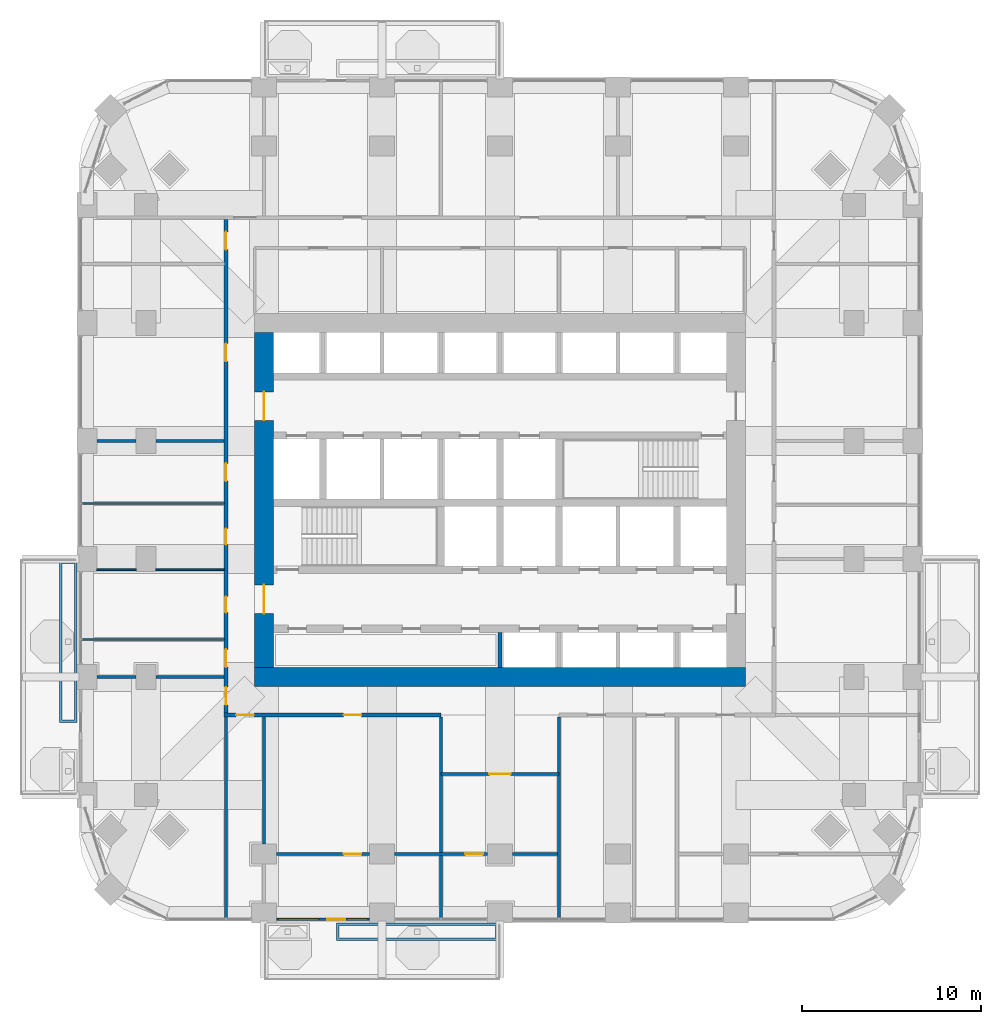
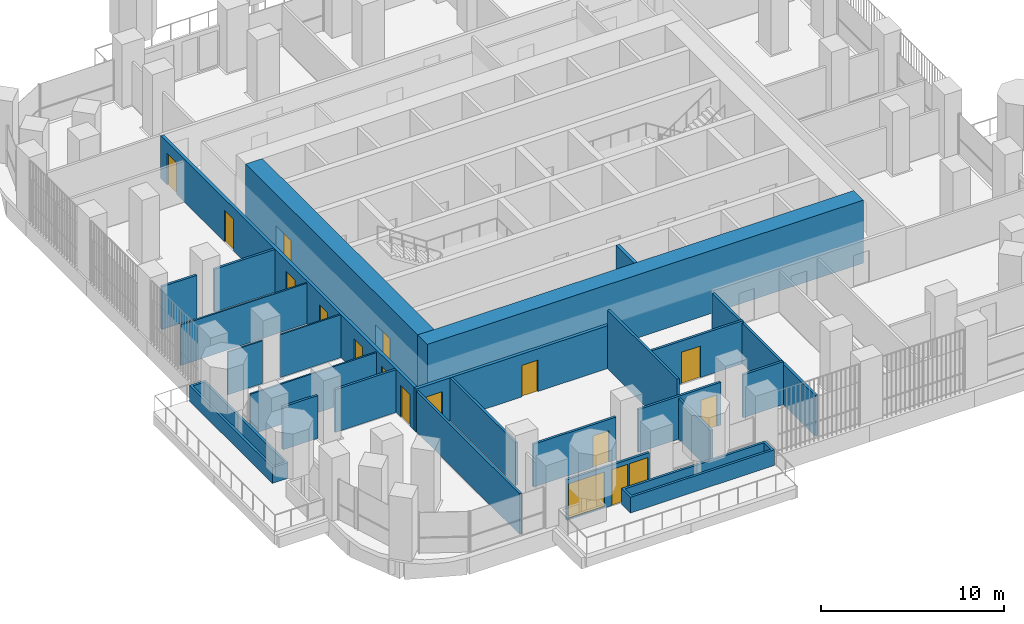
# One storey, part 13 of 21: 25 walls, 15 doors, 2 windows, 17 openings.
"""IFC4 building model written with IfcOpenShell, lengths in metres."""

from ifc_helpers import new_model, si_unit, direction, frame, frame_2d, origin, place, context, subcontext, project, spatial, polyline, rectangle, outline, extrude, material, layer, layer_set, type_object, element, fill, save


model = new_model("IFC4")

# Units and contexts
model_context = context("Model", 3, precision=1e-05, world=origin(), true_north=direction((0.0, 1.0)))
body_context = subcontext(model_context, "Body", "Model", "MODEL_VIEW")
ifc_project = project(units=[si_unit("LENGTHUNIT", "METRE"), si_unit("AREAUNIT", "SQUARE_METRE"), si_unit("VOLUMEUNIT", "CUBIC_METRE"), si_unit("PLANEANGLEUNIT", "RADIAN"), si_unit("MASSUNIT", "GRAM", prefix="KILO")], contexts=[model_context])

# Site, building, storey
site_placement = place(None, origin())
site = spatial("IfcSite", under=ifc_project, at=site_placement, CompositionType="ELEMENT")
building_placement = place(site_placement, origin())
building = spatial("IfcBuilding", under=site, at=building_placement, Name="Cobogo Forest Laboratory Tower", CompositionType="ELEMENT")
storey_placement = place(building_placement, frame((0.0, 0.0, 132.60009765625)))
storey = spatial("IfcBuildingStorey", under=building, at=storey_placement, Name="L30", CompositionType="ELEMENT", Elevation=132.60009765625)

# Wall
ifc_material_1 = material(Name="Concrete HA-50 (C50/60)", Category="concrete")
ifc_layer_1 = layer(ifc_material_1, 1.050048828125)
ifc_layer_set_1 = layer_set([ifc_layer_1], Name="CW1050 core outer wall 1050")
wall_type_1 = type_object("IfcWallType", Name="CW1050 core outer wall 1050", PredefinedType="SHEAR", material=ifc_layer_set_1)
wall_1_placement = place(storey_placement, frame((12.675048828125, 13.199951171875, 0.0), z_axis=(0.0, 0.0, 1.0), x_axis=(1.0, 0.0, 0.0)))
element("IfcWall", 1, at=wall_1_placement, inside=storey, type_object=wall_type_1, Name="Core wall CO-S L30", PredefinedType="SHEAR", context=body_context, shape_type="SweptSolid", body=[
    extrude(rectangle(XDim=27.449951171875, YDim=1.050048828125, at=frame_2d((13.72509765625, 0.0))), origin(), (0.0, 0.0, 1.0), 4.199951171875),
])

# Wall, openings, doors
wall_2_placement = place(storey_placement, frame((13.199951171875, 32.47509765625, 0.0), z_axis=(0.0, 0.0, 1.0), x_axis=(0.0, -1.0, 0.0)))
wall_2 = element("IfcWall", 2, at=wall_2_placement, inside=storey, type_object=wall_type_1, Name="Core wall CO-W L30", PredefinedType="SHEAR", context=body_context, shape_type="SweptSolid", body=[
    extrude(rectangle(XDim=18.75, YDim=1.050048828125, at=frame_2d((9.375, 0.0))), origin(), (0.0, 0.0, 1.0), 4.199951171875),
])
opening_1_placement = place(wall_2_placement, frame((14.125, 0.0, 0.0)))
opening_1 = element("IfcOpeningElement", 3, at=opening_1_placement, cuts=wall_2, Name="Opening L30-D21", PredefinedType="OPENING", context=body_context, shape_type="SweptSolid", body=[
    extrude(rectangle(XDim=1.60009765625, YDim=2.10009765625, at=frame_2d((0.800048828125, 1.050048828125))), frame((0.0, 0.534912109375, 0.0), z_axis=(0.0, -1.0, 0.0), x_axis=(1.0, 0.0, 0.0)), (0.0, 0.0, 1.0), 1.070068359375),
])
opening_2_placement = place(wall_2_placement, frame((3.324951171875, 0.0, 0.0)))
opening_2 = element("IfcOpeningElement", 4, at=opening_2_placement, cuts=wall_2, Name="Opening L30-D31", PredefinedType="OPENING", context=body_context, shape_type="SweptSolid", body=[
    extrude(rectangle(XDim=1.60009765625, YDim=2.10009765625, at=frame_2d((0.800048828125, 1.050048828125))), frame((0.0, 0.534912109375, 0.0), z_axis=(0.0, -1.0, 0.0), x_axis=(1.0, 0.0, 0.0)), (0.0, 0.0, 1.0), 1.070068359375),
])
ifc_material_2 = material(Name="Steel fire door", Category="steel")
door_type_1 = type_object("IfcDoorType", Name="DS2 protected lobby door pair 1600 EI2 60", OperationType="DOUBLE_DOOR_DOUBLE_SWING", PredefinedType="DOOR", material=ifc_material_2)
door_1_placement = place(opening_1_placement, origin())
door_1 = element("IfcDoor", 5, at=door_1_placement, inside=storey, type_object=door_type_1, Name="Door L30-CO-W-S", OperationType="DOUBLE_DOOR_DOUBLE_SWING", OverallHeight=2.10009765625, OverallWidth=1.60009765625, PredefinedType="DOOR", context=body_context, shape_type="SweptSolid", body=[
    extrude(rectangle(XDim=1.60009765625, YDim=2.10009765625, at=frame_2d((0.800048828125, 1.050048828125))), frame((0.0, 0.02490234375, 0.0), z_axis=(0.0, -1.0, 0.0), x_axis=(1.0, 0.0, 0.0)), (0.0, 0.0, 1.0), 0.050048828125),
])
fill(opening_1, door_1)
door_2_placement = place(opening_2_placement, origin())
door_2 = element("IfcDoor", 6, at=door_2_placement, inside=storey, type_object=door_type_1, Name="Door L30-CO-W-N", OperationType="DOUBLE_DOOR_DOUBLE_SWING", OverallHeight=2.10009765625, OverallWidth=1.60009765625, PredefinedType="DOOR", context=body_context, shape_type="SweptSolid", body=[
    extrude(rectangle(XDim=1.60009765625, YDim=2.10009765625, at=frame_2d((0.800048828125, 1.050048828125))), frame((0.0, 0.02490234375, 0.0), z_axis=(0.0, -1.0, 0.0), x_axis=(1.0, 0.0, 0.0)), (0.0, 0.0, 1.0), 0.050048828125),
])
fill(opening_2, door_2)

# Wall, openings, door, windows
ifc_material_3 = material(Name="Aluminium framed glazed screen", Category="aluminium")
ifc_layer_2 = layer(ifc_material_3, 0.14990234375)
ifc_layer_set_2 = layer_set([ifc_layer_2], Name="GS1 glazed door screen 150")
wall_type_2 = type_object("IfcWallType", Name="GS1 glazed door screen 150", PredefinedType="SOLIDWALL", material=ifc_layer_set_2)
wall_3_placement = place(storey_placement, frame((13.89990234375, -0.35009765625, 0.0), z_axis=(0.0, 0.0, 1.0), x_axis=(1.0, 0.0, 0.0)))
wall_3 = element("IfcWall", 7, at=wall_3_placement, inside=storey, type_object=wall_type_2, Name="Door screen BAL-S1 L30", PredefinedType="SOLIDWALL", context=body_context, shape_type="SweptSolid", body=[
    extrude(rectangle(XDim=5.2001953125, YDim=0.14990234375, at=frame_2d((2.60009765625, 0.0))), origin(), (0.0, 0.0, 1.0), 2.699951171875),
])
opening_3_placement = place(wall_3_placement, frame((2.85009765625, 0.0, 0.0)))
opening_3 = element("IfcOpeningElement", 8, at=opening_3_placement, cuts=wall_3, Name="Opening L30-D01", PredefinedType="OPENING", context=body_context, shape_type="SweptSolid", body=[
    extrude(rectangle(XDim=1.0, YDim=2.39990234375, at=frame_2d((0.5, 1.199951171875))), frame((0.0, 0.0849609375, 0.0), z_axis=(0.0, -1.0, 0.0), x_axis=(1.0, 0.0, 0.0)), (0.0, 0.0, 1.0), 0.169921875),
])
opening_4_placement = place(wall_3_placement, frame((0.10009765625, 0.0, 0.10009765625)))
opening_4 = element("IfcOpeningElement", 9, at=opening_4_placement, cuts=wall_3, Name="Opening L30-W01", PredefinedType="OPENING", context=body_context, shape_type="SweptSolid", body=[
    extrude(rectangle(XDim=2.25, YDim=2.300048828125, at=frame_2d((1.125, 1.14990234375))), frame((0.0, 0.0849609375, 0.0), z_axis=(0.0, -1.0, 0.0), x_axis=(1.0, 0.0, 0.0)), (0.0, 0.0, 1.0), 0.169921875),
])
opening_5_placement = place(wall_3_placement, frame((3.949951171875, 0.0, 0.10009765625)))
opening_5 = element("IfcOpeningElement", 10, at=opening_5_placement, cuts=wall_3, Name="Opening L30-W02", PredefinedType="OPENING", context=body_context, shape_type="SweptSolid", body=[
    extrude(rectangle(XDim=1.14990234375, YDim=2.300048828125, at=frame_2d((0.574951171875, 1.14990234375))), frame((0.0, 0.0849609375, 0.0), z_axis=(0.0, -1.0, 0.0), x_axis=(1.0, 0.0, 0.0)), (0.0, 0.0, 1.0), 0.169921875),
])
ifc_material_4 = material(Name="Aluminium glazed door", Category="aluminium")
door_type_2 = type_object("IfcDoorType", Name="DB1 balcony door 1000 glazed", OperationType="SINGLE_SWING_LEFT", PredefinedType="DOOR", material=ifc_material_4)
door_3_placement = place(opening_3_placement, origin())
door_3 = element("IfcDoor", 11, at=door_3_placement, inside=storey, type_object=door_type_2, Name="Door L30-BAL-S1", OperationType="SINGLE_SWING_RIGHT", OverallHeight=2.39990234375, OverallWidth=1.0, PredefinedType="DOOR", context=body_context, shape_type="SweptSolid", body=[
    extrude(rectangle(XDim=1.0, YDim=2.39990234375, at=frame_2d((0.5, 1.199951171875))), frame((0.0, 0.02490234375, 0.0), z_axis=(0.0, -1.0, 0.0), x_axis=(1.0, 0.0, 0.0)), (0.0, 0.0, 1.0), 0.050048828125),
])
fill(opening_3, door_3)
ifc_material_5 = material(Name="Aluminium framed glazing", Category="aluminium")
window_type_1 = type_object("IfcWindowType", Name="WG15 fixed glazed light 2250x2300", PartitioningType="SINGLE_PANEL", PredefinedType="WINDOW", material=ifc_material_5)
window_1_placement = place(opening_4_placement, origin())
window_1 = element("IfcWindow", 12, at=window_1_placement, inside=storey, type_object=window_type_1, Name="Window L30-BAL-S1-1", OverallHeight=2.300048828125, OverallWidth=2.25, PartitioningType="SINGLE_PANEL", PredefinedType="WINDOW", context=body_context, shape_type="SweptSolid", body=[
    extrude(rectangle(XDim=2.25, YDim=2.300048828125, at=frame_2d((1.125, 1.14990234375))), frame((0.0, 0.030029296875, 0.0), z_axis=(0.0, -1.0, 0.0), x_axis=(1.0, 0.0, 0.0)), (0.0, 0.0, 1.0), 0.06005859375),
])
fill(opening_4, window_1)
window_type_2 = type_object("IfcWindowType", Name="WG16 fixed glazed light 1150x2300", PartitioningType="SINGLE_PANEL", PredefinedType="WINDOW", material=ifc_material_5)
window_2_placement = place(opening_5_placement, origin())
window_2 = element("IfcWindow", 13, at=window_2_placement, inside=storey, type_object=window_type_2, Name="Window L30-BAL-S1-2", OverallHeight=2.300048828125, OverallWidth=1.14990234375, PartitioningType="SINGLE_PANEL", PredefinedType="WINDOW", context=body_context, shape_type="SweptSolid", body=[
    extrude(rectangle(XDim=1.14990234375, YDim=2.300048828125, at=frame_2d((0.574951171875, 1.14990234375))), frame((0.0, 0.030029296875, 0.0), z_axis=(0.0, -1.0, 0.0), x_axis=(1.0, 0.0, 0.0)), (0.0, 0.0, 1.0), 0.06005859375),
])
fill(opening_5, window_2)

# Wall
ifc_material_6 = material(Name="Gypsum board on steel studs", Category="steel")
ifc_layer_3 = layer(ifc_material_6, 0.14990234375)
ifc_layer_set_3 = layer_set([ifc_layer_3], Name="PT1 laboratory partition 150")
wall_type_3 = type_object("IfcWallType", Name="PT1 laboratory partition 150", PredefinedType="PARTITIONING", material=ifc_layer_set_3)
wall_4_placement = place(storey_placement, frame((11.074951171875, -0.27001953125, 0.0), z_axis=(0.0, 0.0, 1.0), x_axis=(0.0, 1.0, 0.0)))
element("IfcWall", 14, at=wall_4_placement, inside=storey, type_object=wall_type_3, Name="Partition PW-SW L30", PredefinedType="PARTITIONING", context=body_context, shape_type="SweptSolid", body=[
    extrude(rectangle(XDim=11.2451171875, YDim=0.14990234375, at=frame_2d((5.62255859375, 0.0))), origin(), (0.0, 0.0, 1.0), 2.699951171875),
])

# Wall, opening, door
wall_5_placement = place(storey_placement, frame((13.89990234375, 3.300048828125, 0.0), z_axis=(0.0, 0.0, 1.0), x_axis=(1.0, 0.0, 0.0)))
wall_5 = element("IfcWall", 15, at=wall_5_placement, inside=storey, type_object=wall_type_3, Name="Partition STRIP-S-1 L30", PredefinedType="PARTITIONING", context=body_context, shape_type="SweptSolid", body=[
    extrude(rectangle(XDim=5.2001953125, YDim=0.14990234375, at=frame_2d((2.60009765625, 0.0))), origin(), (0.0, 0.0, 1.0), 2.849853515625),
])
opening_6_placement = place(wall_5_placement, frame((3.75, 0.0, 0.0)))
opening_6 = element("IfcOpeningElement", 16, at=opening_6_placement, cuts=wall_5, Name="Opening L30-D02", PredefinedType="OPENING", context=body_context, shape_type="SweptSolid", body=[
    extrude(rectangle(XDim=1.0, YDim=2.10009765625, at=frame_2d((0.5, 1.050048828125))), frame((0.0, 0.0849609375, 0.0), z_axis=(0.0, -1.0, 0.0), x_axis=(1.0, 0.0, 0.0)), (0.0, 0.0, 1.0), 0.169921875),
])
ifc_material_7 = material(Name="Timber fire door", Category="wood")
door_type_3 = type_object("IfcDoorType", Name="FD2 fire door 1000 EI2 30", OperationType="SINGLE_SWING_LEFT", PredefinedType="DOOR", material=ifc_material_7)
door_4_placement = place(opening_6_placement, origin())
door_4 = element("IfcDoor", 17, at=door_4_placement, inside=storey, type_object=door_type_3, Name="Door L30-S2W", OperationType="SINGLE_SWING_RIGHT", OverallHeight=2.10009765625, OverallWidth=1.0, PredefinedType="DOOR", context=body_context, shape_type="SweptSolid", body=[
    extrude(rectangle(XDim=1.0, YDim=2.10009765625, at=frame_2d((0.5, 1.050048828125))), frame((0.0, 0.02490234375, 0.0), z_axis=(0.0, -1.0, 0.0), x_axis=(1.0, 0.0, 0.0)), (0.0, 0.0, 1.0), 0.050048828125),
])
fill(opening_6, door_4)

wall_6_placement = place(storey_placement, frame((20.5, 3.300048828125, 0.0), z_axis=(0.0, 0.0, 1.0), x_axis=(1.0, 0.0, 0.0)))
wall_6 = element("IfcWall", 18, at=wall_6_placement, inside=storey, type_object=wall_type_3, Name="Partition STRIP-S-2 L30", PredefinedType="PARTITIONING", context=body_context, shape_type="SweptSolid", body=[
    extrude(rectangle(XDim=5.199951171875, YDim=0.14990234375, at=frame_2d((2.60009765625, 0.0))), origin(), (0.0, 0.0, 1.0), 2.849853515625),
])
opening_7_placement = place(wall_6_placement, frame((3.949951171875, 0.0, 0.0)))
opening_7 = element("IfcOpeningElement", 19, at=opening_7_placement, cuts=wall_6, Name="Opening L30-D03", PredefinedType="OPENING", context=body_context, shape_type="SweptSolid", body=[
    extrude(rectangle(XDim=1.0, YDim=2.10009765625, at=frame_2d((0.5, 1.050048828125))), frame((0.0, 0.0849609375, 0.0), z_axis=(0.0, -1.0, 0.0), x_axis=(1.0, 0.0, 0.0)), (0.0, 0.0, 1.0), 0.169921875),
])
door_5_placement = place(opening_7_placement, origin())
door_5 = element("IfcDoor", 20, at=door_5_placement, inside=storey, type_object=door_type_3, Name="Door L30-S3W", OperationType="SINGLE_SWING_RIGHT", OverallHeight=2.10009765625, OverallWidth=1.0, PredefinedType="DOOR", context=body_context, shape_type="SweptSolid", body=[
    extrude(rectangle(XDim=1.0, YDim=2.10009765625, at=frame_2d((0.5, 1.050048828125))), frame((0.0, 0.02490234375, 0.0), z_axis=(0.0, -1.0, 0.0), x_axis=(1.0, 0.0, 0.0)), (0.0, 0.0, 1.0), 0.050048828125),
])
fill(opening_7, door_5)

# Wall
wall_7_placement = place(storey_placement, frame((27.10009765625, 3.300048828125, 0.0), z_axis=(0.0, 0.0, 1.0), x_axis=(1.0, 0.0, 0.0)))
element("IfcWall", 21, at=wall_7_placement, inside=storey, type_object=wall_type_3, Name="Partition STRIP-S-3 L30", PredefinedType="PARTITIONING", context=body_context, shape_type="SweptSolid", body=[
    extrude(rectangle(XDim=2.52490234375, YDim=0.14990234375, at=frame_2d((1.262451171875, 0.0))), origin(), (0.0, 0.0, 1.0), 2.849853515625),
])

# Wall, opening, door
wall_8_placement = place(storey_placement, frame((23.10009765625, 7.77490234375, 0.0), z_axis=(0.0, 0.0, 1.0), x_axis=(1.0, 0.0, 0.0)))
wall_8 = element("IfcWall", 22, at=wall_8_placement, inside=storey, type_object=wall_type_3, Name="Partition NODE-S-1 L30", PredefinedType="PARTITIONING", context=body_context, shape_type="SweptSolid", body=[
    extrude(rectangle(XDim=6.599853515625, YDim=0.14990234375, at=frame_2d((3.2998046875, 0.0))), origin(), (0.0, 0.0, 1.0), 2.849853515625),
])
opening_8_placement = place(wall_8_placement, frame((2.699951171875, 0.0, 0.0)))
opening_8 = element("IfcOpeningElement", 23, at=opening_8_placement, cuts=wall_8, Name="Opening L30-D05", PredefinedType="OPENING", context=body_context, shape_type="SweptSolid", body=[
    extrude(rectangle(XDim=1.199951171875, YDim=2.10009765625, at=frame_2d((0.60009765625, 1.050048828125))), frame((0.0, 0.0849609375, 0.0), z_axis=(0.0, -1.0, 0.0), x_axis=(1.0, 0.0, 0.0)), (0.0, 0.0, 1.0), 0.169921875),
])
ifc_material_8 = material(Name="Timber door", Category="wood")
door_type_4 = type_object("IfcDoorType", Name="D2 laboratory door 1200 unequal pair", OperationType="DOUBLE_DOOR_SINGLE_SWING", PredefinedType="DOOR", material=ifc_material_8)
door_6_placement = place(opening_8_placement, origin())
door_6 = element("IfcDoor", 24, at=door_6_placement, inside=storey, type_object=door_type_4, Name="Door L30-S3", OperationType="DOUBLE_DOOR_SINGLE_SWING", OverallHeight=2.10009765625, OverallWidth=1.199951171875, PredefinedType="DOOR", context=body_context, shape_type="SweptSolid", body=[
    extrude(rectangle(XDim=1.199951171875, YDim=2.10009765625, at=frame_2d((0.60009765625, 1.050048828125))), frame((0.0, 0.02490234375, 0.0), z_axis=(0.0, -1.0, 0.0), x_axis=(1.0, 0.0, 0.0)), (0.0, 0.0, 1.0), 0.050048828125),
])
fill(opening_8, door_6)

# Walls
wall_9_placement = place(storey_placement, frame((13.199951171875, 3.85009765625, 0.0), z_axis=(0.0, 0.0, 1.0), x_axis=(0.0, 1.0, 0.0)))
element("IfcWall", 25, at=wall_9_placement, inside=storey, type_object=wall_type_3, Name="Partition CUT-S13.2-2 L30", PredefinedType="PARTITIONING", context=body_context, shape_type="SweptSolid", body=[
    extrude(rectangle(XDim=7.125, YDim=0.14990234375, at=frame_2d((3.5625, 0.0))), origin(), (0.0, 0.0, 1.0), 2.849853515625),
])
wall_10_placement = place(storey_placement, frame((23.10009765625, -0.27001953125, 0.0), z_axis=(0.0, 0.0, 1.0), x_axis=(0.0, 1.0, 0.0)))
element("IfcWall", 26, at=wall_10_placement, inside=storey, type_object=wall_type_3, Name="Partition CUT-S23.1a-1 L30", PredefinedType="PARTITIONING", context=body_context, shape_type="SweptSolid", body=[
    extrude(rectangle(XDim=3.4951171875, YDim=0.14990234375, at=frame_2d((1.74755859375, 0.0))), origin(), (0.0, 0.0, 1.0), 2.699951171875),
])
wall_11_placement = place(storey_placement, frame((23.10009765625, 3.375, 0.0), z_axis=(0.0, 0.0, 1.0), x_axis=(0.0, 1.0, 0.0)))
element("IfcWall", 27, at=wall_11_placement, inside=storey, type_object=wall_type_3, Name="Partition CUT-S23.1b-1 L30", PredefinedType="PARTITIONING", context=body_context, shape_type="SweptSolid", body=[
    extrude(rectangle(XDim=7.60009765625, YDim=0.14990234375, at=frame_2d((3.800048828125, 0.0))), origin(), (0.0, 0.0, 1.0), 3.89990234375),
])
wall_12_placement = place(storey_placement, frame((29.699951171875, -0.27001953125, 0.0), z_axis=(0.0, 0.0, 1.0), x_axis=(0.0, 1.0, 0.0)))
element("IfcWall", 28, at=wall_12_placement, inside=storey, type_object=wall_type_3, Name="Partition CUT-S29.7-1 L30", PredefinedType="PARTITIONING", context=body_context, shape_type="SweptSolid", body=[
    extrude(rectangle(XDim=11.2451171875, YDim=0.14990234375, at=frame_2d((5.62255859375, 0.0))), origin(), (0.0, 0.0, 1.0), 2.699951171875),
])
wall_13_placement = place(storey_placement, frame((3.85009765625, 13.199951171875, 0.0), z_axis=(0.0, 0.0, 1.0), x_axis=(1.0, 0.0, 0.0)))
element("IfcWall", 29, at=wall_13_placement, inside=storey, type_object=wall_type_3, Name="Partition CUT-W13.2-1 L30", PredefinedType="PARTITIONING", context=body_context, shape_type="SweptSolid", body=[
    extrude(rectangle(XDim=2.199951171875, YDim=0.14990234375, at=frame_2d((1.10009765625, 0.0))), origin(), (0.0, 0.0, 1.0), 2.849853515625),
])
wall_14_placement = place(storey_placement, frame((7.14990234375, 13.199951171875, 0.0), z_axis=(0.0, 0.0, 1.0), x_axis=(1.0, 0.0, 0.0)))
element("IfcWall", 30, at=wall_14_placement, inside=storey, type_object=wall_type_3, Name="Partition CUT-W13.2-2 L30", PredefinedType="PARTITIONING", context=body_context, shape_type="SweptSolid", body=[
    extrude(rectangle(XDim=3.8251953125, YDim=0.14990234375, at=frame_2d((1.91259765625, 0.0))), origin(), (0.0, 0.0, 1.0), 2.849853515625),
])
wall_15_placement = place(storey_placement, frame((3.85009765625, 26.39990234375, 0.0), z_axis=(0.0, 0.0, 1.0), x_axis=(1.0, 0.0, 0.0)))
element("IfcWall", 31, at=wall_15_placement, inside=storey, type_object=wall_type_3, Name="Partition CUT-W26.4-1 L30", PredefinedType="PARTITIONING", context=body_context, shape_type="SweptSolid", body=[
    extrude(rectangle(XDim=2.199951171875, YDim=0.14990234375, at=frame_2d((1.10009765625, 0.0))), origin(), (0.0, 0.0, 1.0), 2.849853515625),
])
wall_16_placement = place(storey_placement, frame((7.14990234375, 26.39990234375, 0.0), z_axis=(0.0, 0.0, 1.0), x_axis=(1.0, 0.0, 0.0)))
element("IfcWall", 32, at=wall_16_placement, inside=storey, type_object=wall_type_3, Name="Partition CUT-W26.4-2 L30", PredefinedType="PARTITIONING", context=body_context, shape_type="SweptSolid", body=[
    extrude(rectangle(XDim=3.8251953125, YDim=0.14990234375, at=frame_2d((1.91259765625, 0.0))), origin(), (0.0, 0.0, 1.0), 2.849853515625),
])

# Wall, openings, doors
ifc_layer_4 = layer(ifc_material_6, 0.199951171875)
ifc_layer_set_4 = layer_set([ifc_layer_4], Name="PT2 fire-rated corridor partition 200")
wall_type_4 = type_object("IfcWallType", Name="PT2 fire-rated corridor partition 200", PredefinedType="PARTITIONING", material=ifc_layer_set_4)
wall_17_placement = place(storey_placement, frame((10.97509765625, 11.074951171875, 0.0), z_axis=(0.0, 0.0, 1.0), x_axis=(1.0, 0.0, 0.0)))
wall_17 = element("IfcWall", 33, at=wall_17_placement, inside=storey, type_object=wall_type_4, Name="Partition CORR-S-1 L30", PredefinedType="PARTITIONING", context=body_context, shape_type="SweptSolid", body=[
    extrude(rectangle(XDim=12.125, YDim=0.199951171875, at=frame_2d((6.0625, 0.0))), origin(), (0.0, 0.0, 1.0), 2.849853515625),
])
opening_9_placement = place(wall_17_placement, frame((0.66259765625, 0.0, 0.0)))
opening_9 = element("IfcOpeningElement", 34, at=opening_9_placement, cuts=wall_17, Name="Opening L30-D08", PredefinedType="OPENING", context=body_context, shape_type="SweptSolid", body=[
    extrude(rectangle(XDim=1.0, YDim=2.10009765625, at=frame_2d((0.5, 1.050048828125))), frame((0.0, 0.10986328125, 0.0), z_axis=(0.0, -1.0, 0.0), x_axis=(1.0, 0.0, 0.0)), (0.0, 0.0, 1.0), 0.219970703125),
])
opening_10_placement = place(wall_17_placement, frame((6.675048828125, 0.0, 0.0)))
opening_10 = element("IfcOpeningElement", 35, at=opening_10_placement, cuts=wall_17, Name="Opening L30-D09", PredefinedType="OPENING", context=body_context, shape_type="SweptSolid", body=[
    extrude(rectangle(XDim=1.0, YDim=2.10009765625, at=frame_2d((0.5, 1.050048828125))), frame((0.0, 0.10986328125, 0.0), z_axis=(0.0, -1.0, 0.0), x_axis=(1.0, 0.0, 0.0)), (0.0, 0.0, 1.0), 0.219970703125),
])
door_type_5 = type_object("IfcDoorType", Name="FD1 fire door 1000 EI2 60", OperationType="SINGLE_SWING_LEFT", PredefinedType="DOOR", material=ifc_material_2)
door_7_placement = place(opening_10_placement, origin())
door_7 = element("IfcDoor", 36, at=door_7_placement, inside=storey, type_object=door_type_5, Name="Door L30-S2", OperationType="SINGLE_SWING_RIGHT", OverallHeight=2.10009765625, OverallWidth=1.0, PredefinedType="DOOR", context=body_context, shape_type="SweptSolid", body=[
    extrude(rectangle(XDim=1.0, YDim=2.10009765625, at=frame_2d((0.5, 1.050048828125))), frame((0.0, 0.02490234375, 0.0), z_axis=(0.0, -1.0, 0.0), x_axis=(1.0, 0.0, 0.0)), (0.0, 0.0, 1.0), 0.050048828125),
])
fill(opening_10, door_7)
door_8_placement = place(opening_9_placement, origin())
door_8 = element("IfcDoor", 37, at=door_8_placement, inside=storey, type_object=door_type_3, Name="Door L30-S1", OperationType="SINGLE_SWING_LEFT", OverallHeight=2.10009765625, OverallWidth=1.0, PredefinedType="DOOR", context=body_context, shape_type="SweptSolid", body=[
    extrude(rectangle(XDim=1.0, YDim=2.10009765625, at=frame_2d((0.5, 1.050048828125))), frame((0.0, 0.02490234375, 0.0), z_axis=(0.0, -1.0, 0.0), x_axis=(1.0, 0.0, 0.0)), (0.0, 0.0, 1.0), 0.050048828125),
])
fill(opening_9, door_8)

wall_18_placement = place(storey_placement, frame((11.074951171875, 11.175048828125, 0.0), z_axis=(0.0, 0.0, 1.0), x_axis=(0.0, 1.0, 0.0)))
wall_18 = element("IfcWall", 38, at=wall_18_placement, inside=storey, type_object=wall_type_4, Name="Partition CORR-W L30", PredefinedType="PARTITIONING", context=body_context, shape_type="SweptSolid", body=[
    extrude(rectangle(XDim=27.625, YDim=0.199951171875, at=frame_2d((13.8125, 0.0))), origin(), (0.0, 0.0, 1.0), 2.849853515625),
])
opening_11_placement = place(wall_18_placement, frame((0.46240234375, 0.0, 0.0)))
opening_11 = element("IfcOpeningElement", 39, at=opening_11_placement, cuts=wall_18, Name="Opening L30-D13", PredefinedType="OPENING", context=body_context, shape_type="SweptSolid", body=[
    extrude(rectangle(XDim=1.0, YDim=2.10009765625, at=frame_2d((0.5, 1.050048828125))), frame((0.0, 0.10986328125, 0.0), z_axis=(0.0, -1.0, 0.0), x_axis=(1.0, 0.0, 0.0)), (0.0, 0.0, 1.0), 0.219970703125),
])
opening_12_placement = place(wall_18_placement, frame((2.574951171875, 0.0, 0.0)))
opening_12 = element("IfcOpeningElement", 40, at=opening_12_placement, cuts=wall_18, Name="Opening L30-D14", PredefinedType="OPENING", context=body_context, shape_type="SweptSolid", body=[
    extrude(rectangle(XDim=1.0, YDim=2.10009765625, at=frame_2d((0.5, 1.050048828125))), frame((0.0, 0.10986328125, 0.0), z_axis=(0.0, -1.0, 0.0), x_axis=(1.0, 0.0, 0.0)), (0.0, 0.0, 1.0), 0.219970703125),
])
opening_13_placement = place(wall_18_placement, frame((5.625, 0.0, 0.0)))
opening_13 = element("IfcOpeningElement", 41, at=opening_13_placement, cuts=wall_18, Name="Opening L30-D20", PredefinedType="OPENING", context=body_context, shape_type="SweptSolid", body=[
    extrude(rectangle(XDim=0.89990234375, YDim=2.10009765625, at=frame_2d((0.449951171875, 1.050048828125))), frame((0.0, 0.10986328125, 0.0), z_axis=(0.0, -1.0, 0.0), x_axis=(1.0, 0.0, 0.0)), (0.0, 0.0, 1.0), 0.219970703125),
])
opening_14_placement = place(wall_18_placement, frame((9.425048828125, 0.0, 0.0)))
opening_14 = element("IfcOpeningElement", 42, at=opening_14_placement, cuts=wall_18, Name="Opening L30-D26", PredefinedType="OPENING", context=body_context, shape_type="SweptSolid", body=[
    extrude(rectangle(XDim=0.89990234375, YDim=2.10009765625, at=frame_2d((0.449951171875, 1.050048828125))), frame((0.0, 0.10986328125, 0.0), z_axis=(0.0, -1.0, 0.0), x_axis=(1.0, 0.0, 0.0)), (0.0, 0.0, 1.0), 0.219970703125),
])
opening_15_placement = place(wall_18_placement, frame((12.97509765625, 0.0, 0.0)))
opening_15 = element("IfcOpeningElement", 43, at=opening_15_placement, cuts=wall_18, Name="Opening L30-D29", PredefinedType="OPENING", context=body_context, shape_type="SweptSolid", body=[
    extrude(rectangle(XDim=1.0, YDim=2.10009765625, at=frame_2d((0.5, 1.050048828125))), frame((0.0, 0.10986328125, 0.0), z_axis=(0.0, -1.0, 0.0), x_axis=(1.0, 0.0, 0.0)), (0.0, 0.0, 1.0), 0.219970703125),
])
opening_16_placement = place(wall_18_placement, frame((19.675048828125, 0.0, 0.0)))
opening_16 = element("IfcOpeningElement", 44, at=opening_16_placement, cuts=wall_18, Name="Opening L30-D33", PredefinedType="OPENING", context=body_context, shape_type="SweptSolid", body=[
    extrude(rectangle(XDim=1.0, YDim=2.10009765625, at=frame_2d((0.5, 1.050048828125))), frame((0.0, 0.10986328125, 0.0), z_axis=(0.0, -1.0, 0.0), x_axis=(1.0, 0.0, 0.0)), (0.0, 0.0, 1.0), 0.219970703125),
])
opening_17_placement = place(wall_18_placement, frame((25.925048828125, 0.0, 0.0)))
opening_17 = element("IfcOpeningElement", 45, at=opening_17_placement, cuts=wall_18, Name="Opening L30-D39", PredefinedType="OPENING", context=body_context, shape_type="SweptSolid", body=[
    extrude(rectangle(XDim=1.0, YDim=2.10009765625, at=frame_2d((0.5, 1.050048828125))), frame((0.0, 0.10986328125, 0.0), z_axis=(0.0, -1.0, 0.0), x_axis=(1.0, 0.0, 0.0)), (0.0, 0.0, 1.0), 0.219970703125),
])
door_9_placement = place(opening_11_placement, origin())
door_9 = element("IfcDoor", 46, at=door_9_placement, inside=storey, type_object=door_type_3, Name="Door L30-W1", OperationType="SINGLE_SWING_LEFT", OverallHeight=2.10009765625, OverallWidth=1.0, PredefinedType="DOOR", context=body_context, shape_type="SweptSolid", body=[
    extrude(rectangle(XDim=1.0, YDim=2.10009765625, at=frame_2d((0.5, 1.050048828125))), frame((0.0, 0.02490234375, 0.0), z_axis=(0.0, -1.0, 0.0), x_axis=(1.0, 0.0, 0.0)), (0.0, 0.0, 1.0), 0.050048828125),
])
fill(opening_11, door_9)
door_10_placement = place(opening_15_placement, origin())
door_10 = element("IfcDoor", 47, at=door_10_placement, inside=storey, type_object=door_type_3, Name="Door L30-SHW", OperationType="SINGLE_SWING_LEFT", OverallHeight=2.10009765625, OverallWidth=1.0, PredefinedType="DOOR", context=body_context, shape_type="SweptSolid", body=[
    extrude(rectangle(XDim=1.0, YDim=2.10009765625, at=frame_2d((0.5, 1.050048828125))), frame((0.0, 0.02490234375, 0.0), z_axis=(0.0, -1.0, 0.0), x_axis=(1.0, 0.0, 0.0)), (0.0, 0.0, 1.0), 0.050048828125),
])
fill(opening_15, door_10)
door_11_placement = place(opening_16_placement, origin())
door_11 = element("IfcDoor", 48, at=door_11_placement, inside=storey, type_object=door_type_3, Name="Door L30-W3", OperationType="SINGLE_SWING_RIGHT", OverallHeight=2.10009765625, OverallWidth=1.0, PredefinedType="DOOR", context=body_context, shape_type="SweptSolid", body=[
    extrude(rectangle(XDim=1.0, YDim=2.10009765625, at=frame_2d((0.5, 1.050048828125))), frame((0.0, 0.02490234375, 0.0), z_axis=(0.0, -1.0, 0.0), x_axis=(1.0, 0.0, 0.0)), (0.0, 0.0, 1.0), 0.050048828125),
])
fill(opening_16, door_11)
door_12_placement = place(opening_17_placement, origin())
door_12 = element("IfcDoor", 49, at=door_12_placement, inside=storey, type_object=door_type_3, Name="Door L30-W4", OperationType="SINGLE_SWING_RIGHT", OverallHeight=2.10009765625, OverallWidth=1.0, PredefinedType="DOOR", context=body_context, shape_type="SweptSolid", body=[
    extrude(rectangle(XDim=1.0, YDim=2.10009765625, at=frame_2d((0.5, 1.050048828125))), frame((0.0, 0.02490234375, 0.0), z_axis=(0.0, -1.0, 0.0), x_axis=(1.0, 0.0, 0.0)), (0.0, 0.0, 1.0), 0.050048828125),
])
fill(opening_17, door_12)
door_type_6 = type_object("IfcDoorType", Name="FD3 toilet fire door 900 EI2 30", OperationType="SINGLE_SWING_LEFT", PredefinedType="DOOR", material=ifc_material_7)
door_13_placement = place(opening_13_placement, origin())
door_13 = element("IfcDoor", 50, at=door_13_placement, inside=storey, type_object=door_type_6, Name="Door L30-WCF", OperationType="SINGLE_SWING_LEFT", OverallHeight=2.10009765625, OverallWidth=0.89990234375, PredefinedType="DOOR", context=body_context, shape_type="SweptSolid", body=[
    extrude(rectangle(XDim=0.89990234375, YDim=2.10009765625, at=frame_2d((0.449951171875, 1.050048828125))), frame((0.0, 0.02490234375, 0.0), z_axis=(0.0, -1.0, 0.0), x_axis=(1.0, 0.0, 0.0)), (0.0, 0.0, 1.0), 0.050048828125),
])
fill(opening_13, door_13)
door_14_placement = place(opening_14_placement, origin())
door_14 = element("IfcDoor", 51, at=door_14_placement, inside=storey, type_object=door_type_6, Name="Door L30-WCM", OperationType="SINGLE_SWING_LEFT", OverallHeight=2.10009765625, OverallWidth=0.89990234375, PredefinedType="DOOR", context=body_context, shape_type="SweptSolid", body=[
    extrude(rectangle(XDim=0.89990234375, YDim=2.10009765625, at=frame_2d((0.449951171875, 1.050048828125))), frame((0.0, 0.02490234375, 0.0), z_axis=(0.0, -1.0, 0.0), x_axis=(1.0, 0.0, 0.0)), (0.0, 0.0, 1.0), 0.050048828125),
])
fill(opening_14, door_14)
door_type_7 = type_object("IfcDoorType", Name="FDA1 accessible toilet fire door 1000 EI2 30", OperationType="SINGLE_SWING_RIGHT", PredefinedType="DOOR", material=ifc_material_7)
door_15_placement = place(opening_12_placement, origin())
door_15 = element("IfcDoor", 52, at=door_15_placement, inside=storey, type_object=door_type_7, Name="Door L30-WCA", OperationType="SINGLE_SWING_LEFT", OverallHeight=2.10009765625, OverallWidth=1.0, PredefinedType="DOOR", context=body_context, shape_type="SweptSolid", body=[
    extrude(rectangle(XDim=1.0, YDim=2.10009765625, at=frame_2d((0.5, 1.050048828125))), frame((0.0, 0.02490234375, 0.0), z_axis=(0.0, -1.0, 0.0), x_axis=(1.0, 0.0, 0.0)), (0.0, 0.0, 1.0), 0.050048828125),
])
fill(opening_12, door_15)

# Walls
ifc_layer_5 = layer(ifc_material_6, 0.10009765625)
ifc_layer_set_5 = layer_set([ifc_layer_5], Name="PT3 toilet partition 100")
wall_type_5 = type_object("IfcWallType", Name="PT3 toilet partition 100", PredefinedType="PARTITIONING", material=ifc_layer_set_5)
wall_19_placement = place(storey_placement, frame((3.030029296875, 15.300048828125, 0.0), z_axis=(0.0, 0.0, 1.0), x_axis=(1.0, 0.0, 0.0)))
element("IfcWall", 53, at=wall_19_placement, inside=storey, type_object=wall_type_5, Name="Partition SVC-W1-1 L30", PredefinedType="PARTITIONING", context=body_context, shape_type="SweptSolid", body=[
    extrude(rectangle(XDim=7.945068359375, YDim=0.10009765625, at=frame_2d((3.97265625, 0.0))), origin(), (0.0, 0.0, 1.0), 2.699951171875),
])
wall_20_placement = place(storey_placement, frame((3.85009765625, 19.199951171875, 0.0), z_axis=(0.0, 0.0, 1.0), x_axis=(1.0, 0.0, 0.0)))
element("IfcWall", 54, at=wall_20_placement, inside=storey, type_object=wall_type_5, Name="Partition SVC-W2-1 L30", PredefinedType="PARTITIONING", context=body_context, shape_type="SweptSolid", body=[
    extrude(rectangle(XDim=2.199951171875, YDim=0.10009765625, at=frame_2d((1.10009765625, 0.0))), origin(), (0.0, 0.0, 1.0), 2.849853515625),
])
wall_21_placement = place(storey_placement, frame((7.14990234375, 19.199951171875, 0.0), z_axis=(0.0, 0.0, 1.0), x_axis=(1.0, 0.0, 0.0)))
element("IfcWall", 55, at=wall_21_placement, inside=storey, type_object=wall_type_5, Name="Partition SVC-W2-2 L30", PredefinedType="PARTITIONING", context=body_context, shape_type="SweptSolid", body=[
    extrude(rectangle(XDim=3.8251953125, YDim=0.10009765625, at=frame_2d((1.91259765625, 0.0))), origin(), (0.0, 0.0, 1.0), 2.849853515625),
])
wall_22_placement = place(storey_placement, frame((3.030029296875, 22.89990234375, 0.0), z_axis=(0.0, 0.0, 1.0), x_axis=(1.0, 0.0, 0.0)))
element("IfcWall", 56, at=wall_22_placement, inside=storey, type_object=wall_type_5, Name="Partition SVC-W3-1 L30", PredefinedType="PARTITIONING", context=body_context, shape_type="SweptSolid", body=[
    extrude(rectangle(XDim=7.945068359375, YDim=0.10009765625, at=frame_2d((3.97265625, 0.0))), origin(), (0.0, 0.0, 1.0), 2.699951171875),
])
ifc_material_9 = material(Name="Concrete HA-40 (C40/50)", Category="concrete")
ifc_layer_6 = layer(ifc_material_9, 0.14990234375)
ifc_layer_set_6 = layer_set([ifc_layer_6], Name="Planter box 1000x1050")
wall_type_6 = type_object("IfcWallType", Name="Planter box 1000x1050", PredefinedType="USERDEFINED", material=ifc_layer_set_6)
wall_23_placement = place(storey_placement, origin())
element("IfcWall", 57, at=wall_23_placement, inside=storey, type_object=wall_type_6, Name="Planter BAL-S1-2 L30", ObjectType="PLANTER", PredefinedType="USERDEFINED", context=body_context, shape_type="SweptSolid", body=[
    extrude(outline(polyline([(17.25, -1.550048828125), (26.300048828125, -1.550048828125), (26.300048828125, -0.550048828125), (17.25, -0.550048828125), (17.25, -1.550048828125)]), holes=[polyline([(17.39990234375, -1.39990234375), (26.14990234375, -1.39990234375), (26.14990234375, -0.699951171875), (17.39990234375, -0.699951171875), (17.39990234375, -1.39990234375)])]), origin(), (0.0, 0.0, 1.0), 1.0498046875),
])
wall_24_placement = place(storey_placement, origin())
element("IfcWall", 58, at=wall_24_placement, inside=storey, type_object=wall_type_6, Name="Planter BAL-W1-2 L30", ObjectType="PLANTER", PredefinedType="USERDEFINED", context=body_context, shape_type="SweptSolid", body=[
    extrude(outline(polyline([(1.75, 10.64990234375), (2.75, 10.64990234375), (2.75, 19.699951171875), (1.75, 19.699951171875), (1.75, 10.64990234375)]), holes=[polyline([(1.89990234375, 10.800048828125), (2.60009765625, 10.800048828125), (2.60009765625, 19.550048828125), (1.89990234375, 19.550048828125), (1.89990234375, 10.800048828125)])]), origin(), (0.0, 0.0, 1.0), 1.0498046875),
])
ifc_material_10 = material(Name="Concrete block", Category="concrete")
ifc_layer_7 = layer(ifc_material_10, 0.199951171875)
ifc_layer_set_7 = layer_set([ifc_layer_7], Name="SW200 lift shaft separator 200")
wall_type_7 = type_object("IfcWallType", Name="SW200 lift shaft separator 200", PredefinedType="PARTITIONING", material=ifc_layer_set_7)
wall_25_placement = place(storey_placement, frame((26.39990234375, 13.72509765625, 0.0), z_axis=(0.0, 0.0, 1.0), x_axis=(0.0, 1.0, 0.0)))
element("IfcWall", 59, at=wall_25_placement, inside=storey, type_object=wall_type_7, Name="Core wall SEP-S4 L30", PredefinedType="PARTITIONING", context=body_context, shape_type="SweptSolid", body=[
    extrude(rectangle(XDim=1.974853515625, YDim=0.199951171875, at=frame_2d((0.9873046875, 0.0))), origin(), (0.0, 0.0, 1.0), 4.199951171875),
])

save(model, "model.ifc")
